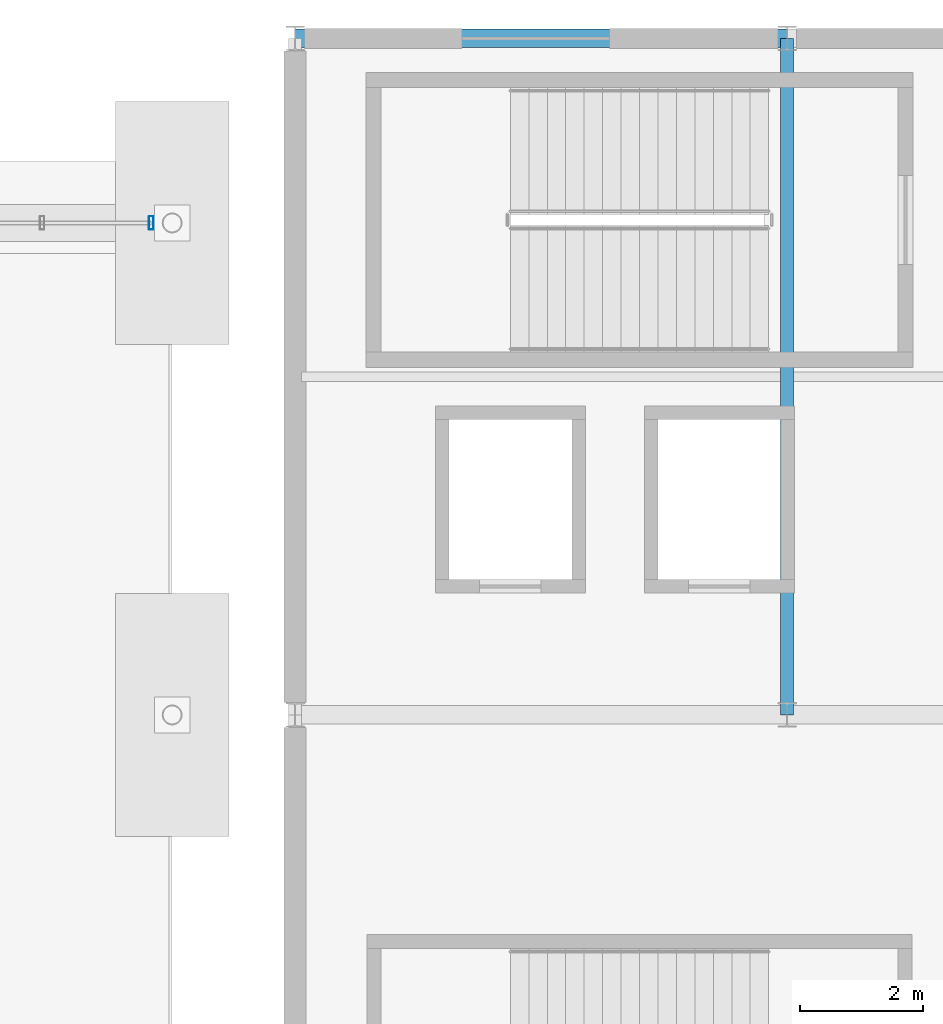
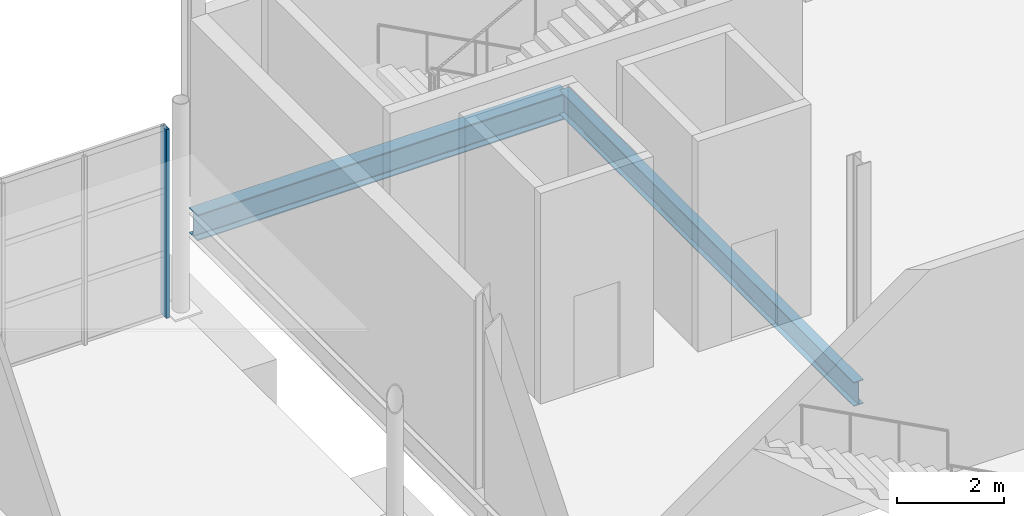
# One storey, part 55 of 101: 2 beams, 1 member, 1 element without a shape of its own.
"""IFC4 building model written with IfcOpenShell, lengths in metres."""

import ifcopenshell
import ifcopenshell.guid

model = None  # the IFC model being written
_history = None  # IfcOwnerHistory: only IFC2X3 demands one
_inside = {}  # id of a spatial element -> (the spatial element, [elements in it])
_under = {}  # id of a project, library or spatial element -> (it, [spatial elements below it])
_declared = {}  # id of a project -> (the project, [libraries it declares])
_typed = {}  # id of a type object -> (the type object, [elements of that type])
_made_of = {}  # id of a material, layer set ... -> (it, [elements and type objects made of it])


def new_model(schema):
    """Start an empty IFC model of exactly this schema.

    Asked for "IFC4X3", IfcOpenShell would pick the latest addendum, in which some entities
    have other attributes; the version numbers below select the first issue.
    IFC2X3 requires an IfcOwnerHistory on every rooted entity: one is made here for all.
    """
    global model, _history
    if schema == "IFC4X3":
        model = ifcopenshell.file(schema_version=(4, 3, 0, 0))
    else:
        model = ifcopenshell.file(schema=schema)
    _inside.clear()
    _under.clear()
    _declared.clear()
    _typed.clear()
    _made_of.clear()
    _history = None
    if model.schema == "IFC2X3":
        org = make("IfcOrganization", Name="unknown")
        user = make(
            "IfcPersonAndOrganization",
            ThePerson=make("IfcPerson", FamilyName="unknown"),
            TheOrganization=org,
        )
        app = make(
            "IfcApplication",
            ApplicationDeveloper=org,
            Version="unknown",
            ApplicationFullName="unknown",
            ApplicationIdentifier="unknown",
        )
        _history = make(
            "IfcOwnerHistory",
            OwningUser=user,
            OwningApplication=app,
            ChangeAction="ADDED",
            CreationDate=0,
        )
    return model


def make(cls, **values):
    """One entity of the class cls with the attributes given. An attribute that is None is left unset."""
    return model.create_entity(
        cls, **{name: value for name, value in values.items() if value is not None}
    )


def rooted(cls, **values):
    """An entity with a GlobalId (a new one), such as an element, a storey or a relation."""
    return make(cls, GlobalId=ifcopenshell.guid.new(), OwnerHistory=_history, **values)


def si_unit(unit_type, name, prefix=None):
    """IfcSIUnit, for example si_unit("LENGTHUNIT", "METRE", prefix="MILLI")."""
    return make("IfcSIUnit", UnitType=unit_type, Prefix=prefix, Name=name)


def derived_unit(unit_type, elements):
    """IfcDerivedUnit: a product of units, each with its exponent."""
    return make(
        "IfcDerivedUnit",
        Elements=[
            make("IfcDerivedUnitElement", Unit=unit, Exponent=power)
            for unit, power in elements
        ],
        UnitType=unit_type,
    )


def assignment(units):
    """IfcUnitAssignment: the units of a project."""
    return None if units is None else make("IfcUnitAssignment", Units=units)


def point(xyz):
    """IfcCartesianPoint."""
    return None if xyz is None else make("IfcCartesianPoint", Coordinates=xyz)


def direction(xyz):
    """IfcDirection."""
    return None if xyz is None else make("IfcDirection", DirectionRatios=xyz)


def frame(location, z_axis=None, x_axis=None):
    """IfcAxis2Placement3D, a coordinate frame: its origin and axes. An axis left out is left unset."""
    return make(
        "IfcAxis2Placement3D",
        Location=point(location),
        Axis=direction(z_axis),
        RefDirection=direction(x_axis),
    )


def frame_2d(location, x_axis=None):
    """IfcAxis2Placement2D, a coordinate frame in the plane: its origin and x axis."""
    return make(
        "IfcAxis2Placement2D", Location=point(location), RefDirection=direction(x_axis)
    )


def origin():
    """The frame at (0, 0, 0) with its axes left unset."""
    return frame((0.0, 0.0, 0.0))


def origin_2d():
    """The frame at (0, 0) in the plane with its x axis left unset."""
    return frame_2d((0.0, 0.0))


def place(relative_to, where):
    """IfcLocalPlacement: puts the frame where relative to a parent placement (None: the world)."""
    return make(
        "IfcLocalPlacement", PlacementRelTo=relative_to, RelativePlacement=where
    )


def context(
    kind, dimensions, precision=None, world=None, true_north=None, identifier=None
):
    """IfcGeometricRepresentationContext, for example the 3D "Model" context."""
    return make(
        "IfcGeometricRepresentationContext",
        ContextIdentifier=identifier,
        ContextType=kind,
        CoordinateSpaceDimension=dimensions,
        Precision=precision,
        WorldCoordinateSystem=world,
        TrueNorth=true_north,
    )


def subcontext(parent, identifier, kind, view, scale=None):
    """IfcGeometricRepresentationSubContext, for example "Body" below "Model"."""
    return make(
        "IfcGeometricRepresentationSubContext",
        ContextIdentifier=identifier,
        ContextType=kind,
        ParentContext=parent,
        TargetScale=scale,
        TargetView=view,
    )


def project(units=None, contexts=None):
    """IfcProject with its units and contexts."""
    return rooted(
        "IfcProject",
        Name="project",
        RepresentationContexts=contexts,
        UnitsInContext=assignment(units),
    )


def spatial(cls, under=None, at=None, **own):
    """A site, building, storey or space (cls), placed at a placement, below another one or the project."""
    s = rooted(cls, ObjectPlacement=at, **own)
    if under is not None:
        _under.setdefault(under.id(), (under, []))[1].append(s)
    return s


def profile(cls, at=None, kind="AREA", **sizes):
    """A parametric profile (cls). Its sizes go by their IFC names, for example OverallWidth=200.0."""
    return make(cls, ProfileType=kind, Position=at, **sizes)


def hollow_rectangle(**sizes):
    """IfcRectangleHollowProfileDef."""
    return profile("IfcRectangleHollowProfileDef", **sizes)


def i_section(**sizes):
    """IfcIShapeProfileDef."""
    return profile("IfcIShapeProfileDef", **sizes)


def extrude(swept, where, along, depth):
    """IfcExtrudedAreaSolid: the profile swept, set in the frame where, extruded along a direction by depth."""
    return make(
        "IfcExtrudedAreaSolid",
        SweptArea=swept,
        Position=where,
        ExtrudedDirection=direction(along),
        Depth=depth,
    )


def shape(context_of_items, identifier, shape_type, items):
    """IfcShapeRepresentation: the items that make up one representation, for example the "Body"."""
    return make(
        "IfcShapeRepresentation",
        ContextOfItems=context_of_items,
        RepresentationIdentifier=identifier,
        RepresentationType=shape_type,
        Items=items,
    )


def material(Name=None, Category=None):
    """IfcMaterial."""
    return make("IfcMaterial", Name=Name, Category=Category)


def material_profile(
    of_material, cross_section, Name=None, Category=None, Priority=None
):
    """IfcMaterialProfile: a cross section and its material."""
    return make(
        "IfcMaterialProfile",
        Name=Name,
        Material=of_material,
        Profile=cross_section,
        Priority=Priority,
        Category=Category,
    )


def profile_set(profiles, Name=None, composite=None):
    """IfcMaterialProfileSet."""
    return make(
        "IfcMaterialProfileSet",
        Name=Name,
        MaterialProfiles=profiles,
        CompositeProfile=composite,
    )


def made_of(thing, what):
    """Note that an element or type object is made of a material, layer set ...; save() writes the relation."""
    if what is not None:
        _made_of.setdefault(what.id(), (what, []))[1].append(thing)
    return thing


def type_object(cls, material=None, **own):
    """A type object (cls), such as IfcWallType, which elements share."""
    return made_of(rooted(cls, **own), material)


def element(
    cls,
    number,
    at=None,
    inside=None,
    cuts=None,
    type_object=None,
    material=None,
    context=None,
    identifier="Body",
    shape_type=None,
    held_by="IfcProductDefinitionShape",
    body=None,
    shapes=None,
    **own,
):
    """One element of the class cls, such as IfcWall. Its Tag is "e" and its number.

    at: its placement. inside: the storey or other place that contains it. cuts: it is an
    opening in that element (IfcRelVoidsElement). A single representation is given by context,
    identifier, shape_type and body (its items); several are given by shapes. held_by: the class
    of the entity that holds the representations. save() writes the other relations.
    """
    e = rooted(cls, Tag="e%d" % number, ObjectPlacement=at, **own)
    if body is not None:
        shapes = [shape(context, identifier, shape_type, body)]
    if shapes is not None:
        e.Representation = make(held_by, Representations=shapes)
    if inside is not None:
        _inside.setdefault(inside.id(), (inside, []))[1].append(e)
    if cuts is not None:
        rooted(
            "IfcRelVoidsElement", RelatingBuildingElement=cuts, RelatedOpeningElement=e
        )
    if type_object is not None:
        _typed.setdefault(type_object.id(), (type_object, []))[1].append(e)
    return made_of(e, material)


def aggregate(whole, parts):
    """IfcRelAggregates: a whole, such as a stair, and the parts it consists of."""
    return rooted("IfcRelAggregates", RelatingObject=whole, RelatedObjects=parts)


def save(model, path):
    """Write the relations noted so far, then the file.

    IfcRelAggregates (storeys below a building ...), IfcRelContainedInSpatialStructure (elements
    in a storey), IfcRelDefinesByType, IfcRelAssociatesMaterial and IfcRelDeclares: one each for
    every whole, place, type object, material and project.
    """
    for whole, parts in _under.values():
        aggregate(whole, parts)
    for where, things in _inside.values():
        rooted(
            "IfcRelContainedInSpatialStructure",
            RelatedElements=things,
            RelatingStructure=where,
        )
    for kind, things in _typed.values():
        rooted("IfcRelDefinesByType", RelatedObjects=things, RelatingType=kind)
    for what, things in _made_of.values():
        rooted("IfcRelAssociatesMaterial", RelatedObjects=things, RelatingMaterial=what)
    for by, libraries in _declared.values():
        rooted("IfcRelDeclares", RelatingContext=by, RelatedDefinitions=libraries)
    model.write(path)


model = new_model("IFC4")

# Units and contexts
model_context = context("Model", 3, precision=1e-05, world=origin(), true_north=direction((0.0, 1.0)))
body_context = subcontext(model_context, "Body", "Model", "MODEL_VIEW")
ifc_project = project(units=[si_unit("LENGTHUNIT", "METRE"), si_unit("AREAUNIT", "SQUARE_METRE"), si_unit("VOLUMEUNIT", "CUBIC_METRE"), si_unit("PLANEANGLEUNIT", "RADIAN"), si_unit("MASSUNIT", "GRAM", prefix="KILO"), derived_unit("THERMALTRANSMITTANCEUNIT", [(si_unit("POWERUNIT", "WATT"), 1), (si_unit("LENGTHUNIT", "METRE"), -2), (si_unit("THERMODYNAMICTEMPERATUREUNIT", "KELVIN"), -1)])], contexts=[model_context])

# Site, building, storey
site_placement = place(None, origin())
site = spatial("IfcSite", under=ifc_project, at=site_placement, CompositionType="ELEMENT")
building_placement = place(site_placement, origin())
building = spatial("IfcBuilding", under=site, at=building_placement, Name="Keldorne Ridge Multi-Sports Centre", CompositionType="ELEMENT")
storey_placement = place(building_placement, origin())
storey = spatial("IfcBuildingStorey", under=building, at=storey_placement, Name="L00", CompositionType="ELEMENT", Elevation=0.0)

# Beams
ifc_material_1 = material(Name="Steel S355", Category="steel")
ifc_material_profile_1 = material_profile(ifc_material_1, i_section(OverallWidth=0.2099609375, OverallDepth=0.550048828125, WebThickness=0.010986328125, FlangeThickness=0.01708984375, FilletRadius=0.02392578125, at=origin_2d()), Name="IPE 550")
ifc_profile_set_1 = profile_set([ifc_material_profile_1], Name="Steel S355")
beam_type_1 = type_object("IfcBeamType", Name="BM-B-01", PredefinedType="BEAM", material=ifc_profile_set_1)
beam_1_placement = place(storey_placement, frame((112.0, 106.0, -0.544921875), z_axis=(0.0, 1.0, 0.0), x_axis=(-1.0, 0.0, 0.0)))
element("IfcBeam", 1, at=beam_1_placement, inside=storey, type_object=beam_type_1, Name="L00 primary girder 112.6", PredefinedType="BEAM", context=body_context, shape_type="SweptSolid", body=[
    extrude(i_section(OverallWidth=0.2099609375, OverallDepth=0.550048828125, WebThickness=0.010986328125, FlangeThickness=0.01708984375, FilletRadius=0.02392578125, at=origin_2d()), origin(), (0.0, 0.0, 1.0), 11.0),
])
ifc_material_profile_2 = material_profile(ifc_material_1, i_section(OverallWidth=0.300048828125, OverallDepth=0.590087890625, WebThickness=0.012939453125, FlangeThickness=0.02490234375, FilletRadius=0.027099609375, at=origin_2d()), Name="HEA 600")
ifc_profile_set_2 = profile_set([ifc_material_profile_2], Name="Steel S355")
beam_type_2 = type_object("IfcBeamType", Name="BM-B-06", PredefinedType="BEAM", material=ifc_profile_set_2)
beam_2_placement = place(storey_placement, frame((104.0, 117.0, -0.56494140625), z_axis=(1.0, 0.0, 0.0), x_axis=(0.0, 1.0, 0.0)))
element("IfcBeam", 2, at=beam_2_placement, inside=storey, type_object=beam_type_2, Name="L00 primary beam 1.117", PredefinedType="BEAM", context=body_context, shape_type="SweptSolid", body=[
    extrude(i_section(OverallWidth=0.300048828125, OverallDepth=0.590087890625, WebThickness=0.012939453125, FlangeThickness=0.02490234375, FilletRadius=0.027099609375, at=origin_2d()), origin(), (0.0, 0.0, 1.0), 8.0),
])

# Curtain wall, member
ifc_material_2 = material(Name="Anodized aluminium", Category="aluminium")
curtain_wall_type = type_object("IfcCurtainWallType", Name="CW-CW-06", PredefinedType="NOTDEFINED", material=ifc_material_2)
curtain_wall_placement = place(storey_placement, origin())
curtain_wall = element("IfcCurtainWall", 3, at=curtain_wall_placement, inside=storey, type_object=curtain_wall_type, Name="Public Passage N foyer glazing 078", PredefinedType="NOTDEFINED")
ifc_material_profile_3 = material_profile(ifc_material_2, hollow_rectangle(XDim=0.074951171875, YDim=0.219970703125, WallThickness=0.0048828125, InnerFilletRadius=0.0048828125, OuterFilletRadius=0.010009765625, at=origin_2d()), Name="ALU MULLION 220x75x5")
ifc_profile_set_3 = profile_set([ifc_material_profile_3], Name="Anodized aluminium")
member_type = type_object("IfcMemberType", Name="MEM-ML-02", PredefinedType="MULLION", material=ifc_profile_set_3)
member_placement = place(storey_placement, frame((101.659912109375, 114.0, 0.0), z_axis=(0.0, 0.0, 1.0), x_axis=(1.0, 0.0, 0.0)))
member = element("IfcMember", 4, at=member_placement, type_object=member_type, Name="CW-078 vertical mullion 1", PredefinedType="MULLION", context=body_context, shape_type="SweptSolid", body=[
    extrude(hollow_rectangle(XDim=0.074951171875, YDim=0.219970703125, WallThickness=0.0048828125, InnerFilletRadius=0.0048828125, OuterFilletRadius=0.010009765625, at=origin_2d()), origin(), (0.0, 0.0, 1.0), 4.300048828125),
])
aggregate(curtain_wall, [member])

save(model, "model.ifc")
